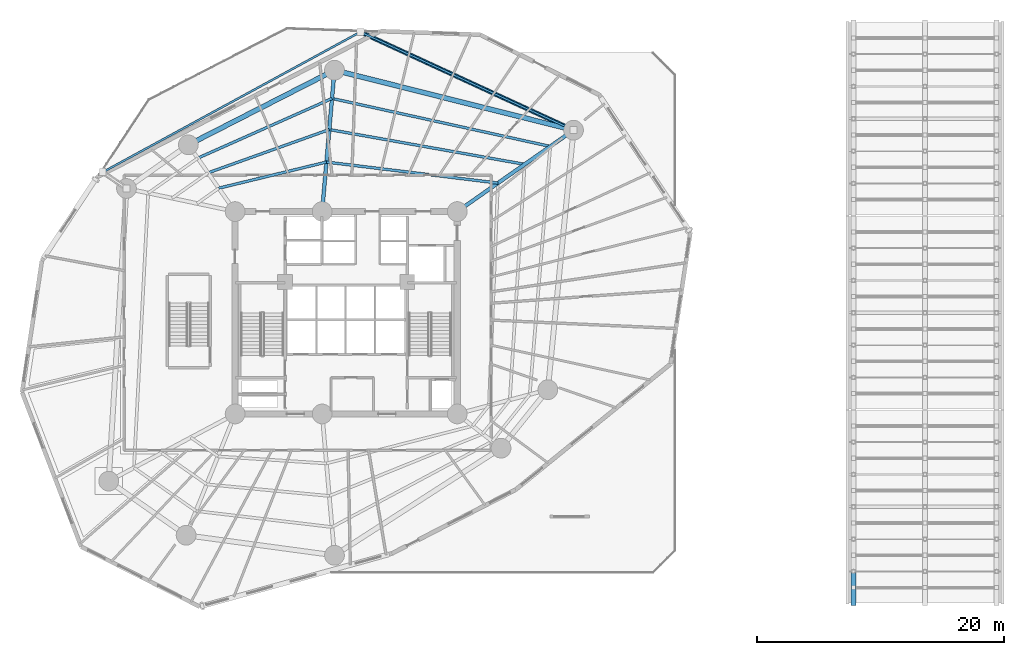
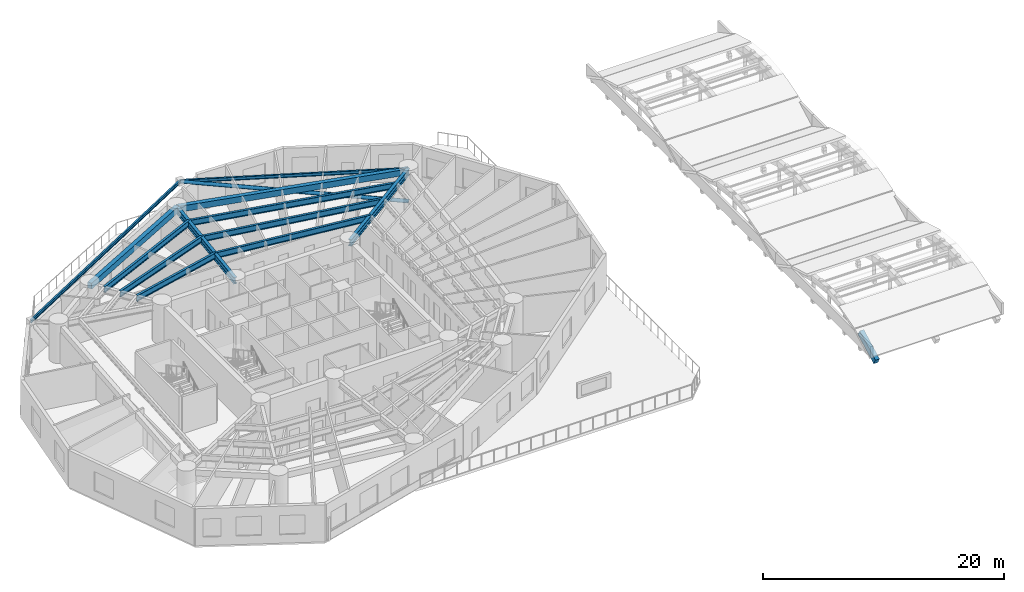
# One storey, part 2 of 16: 13 beams, 1 member.
"""IFC4 building model written with IfcOpenShell, lengths in metres."""

from ifc_helpers import new_model, si_unit, direction, frame, origin, origin_with_axes, origin_2d, place, context, subcontext, project, spatial, rectangle, hollow_circle, i_section, extrude, source, transform, mapped, material, material_profile, profile_set, type_object, element, save


model = new_model("IFC4")

# Units and contexts
model_context = context("Model", 3, precision=1e-05, world=origin(), true_north=direction((0.0, 1.0)))
body_context = subcontext(model_context, "Body", "Model", "MODEL_VIEW")
ifc_project = project(units=[si_unit("LENGTHUNIT", "METRE"), si_unit("AREAUNIT", "SQUARE_METRE"), si_unit("VOLUMEUNIT", "CUBIC_METRE"), si_unit("PLANEANGLEUNIT", "RADIAN"), si_unit("MASSUNIT", "GRAM", prefix="KILO")], contexts=[model_context])

# Site, building, storey
site_placement = place(None, origin())
site = spatial("IfcSite", under=ifc_project, at=site_placement, CompositionType="ELEMENT")
building_placement = place(site_placement, origin())
building = spatial("IfcBuilding", under=site, at=building_placement, Name="Karkom Vertical University and Central Library", CompositionType="ELEMENT")
storey_placement = place(building_placement, frame((0.0, 0.0, 22.5)))
storey = spatial("IfcBuildingStorey", under=building, at=storey_placement, Name="L05", CompositionType="ELEMENT", Elevation=22.5)

# Beams
ifc_material_1 = material(Name="Precast concrete C45/55", Category="concrete")
ifc_material_profile_1 = material_profile(ifc_material_1, rectangle(XDim=0.39990234375, YDim=0.60009765625, at=origin_2d()), Name="RCB-400x600")
ifc_profile_set_1 = profile_set([ifc_material_profile_1], Name="Precast concrete C45/55")
beam_type_1 = type_object("IfcBeamType", Name="STR-BM-VA-1", PredefinedType="BEAM", material=ifc_profile_set_1)
shared_shape_1 = source(origin_with_axes(), body_context, "Body", "SweptSolid", [
    extrude(rectangle(XDim=0.39990234375, YDim=0.60009765625, at=origin_2d()), origin(), (0.0, 0.0, 1.0), 2.967529296875),
])
beam_1_placement = place(storey_placement, frame((69.60009765625, 2.919921875, -0.5400390625), z_axis=(0.0, 0.882958015485, 0.469451960153), x_axis=(-1.0, 0.0, 0.0)))
element("IfcBeam", 1, at=beam_1_placement, inside=storey, type_object=beam_type_1, Name="Library Vault 1 Arch Rib 1 Chord 1", PredefinedType="BEAM", context=body_context, shape_type="MappedRepresentation", body=[
    mapped(shared_shape_1, transform((0.0, 0.0, 0.0), scale=1.0)),
])
ifc_material_2 = material(Name="Steel S355", Category="steel")
ifc_material_profile_2 = material_profile(ifc_material_2, i_section(OverallWidth=0.300048828125, OverallDepth=0.64990234375, WebThickness=0.01611328125, FlangeThickness=0.031005859375, FilletRadius=0.027099609375, at=origin_2d()), Name="HE 650 B")
ifc_profile_set_2 = profile_set([ifc_material_profile_2], Name="Steel S355")
beam_type_2 = type_object("IfcBeamType", Name="STR-BM-SB-HE650", PredefinedType="USERDEFINED", material=ifc_profile_set_2)
shared_shape_2 = source(origin_with_axes(), body_context, "Body", "SweptSolid", [
    extrude(i_section(OverallWidth=0.300048828125, OverallDepth=0.64990234375, WebThickness=0.01611328125, FlangeThickness=0.031005859375, FilletRadius=0.027099609375, at=origin_2d()), origin(), (0.0, 0.0, 1.0), 11.49951171875),
])
beam_2_placement = place(storey_placement, frame((37.5, 34.699951171875, 3.425048828125), z_axis=(0.81915012564, 0.573579176457, 0.0), x_axis=(-0.573579176457, 0.81915012564, 0.0)))
element("IfcBeam", 2, at=beam_2_placement, inside=storey, type_object=beam_type_2, Name="Level 05 Radial Frame Girder 02", ObjectType="GIRDER", PredefinedType="USERDEFINED", context=body_context, shape_type="MappedRepresentation", body=[
    mapped(shared_shape_2, transform((0.0, 0.0, 0.0), scale=1.0)),
])
shared_shape_3 = source(origin_with_axes(), body_context, "Body", "SweptSolid", [
    extrude(i_section(OverallWidth=0.300048828125, OverallDepth=0.64990234375, WebThickness=0.01611328125, FlangeThickness=0.031005859375, FilletRadius=0.027099609375, at=origin_2d()), origin(), (0.0, 0.0, 1.0), 11.499755859375),
])
beam_3_placement = place(storey_placement, frame((26.550048828125, 34.699951171875, 3.425048828125), z_axis=(0.087127973109, 0.99619712723, 0.0), x_axis=(-0.99619712723, 0.087127973109, 0.0)))
element("IfcBeam", 3, at=beam_3_placement, inside=storey, type_object=beam_type_2, Name="Level 05 Radial Frame Girder 03", ObjectType="GIRDER", PredefinedType="USERDEFINED", context=body_context, shape_type="MappedRepresentation", body=[
    mapped(shared_shape_3, transform((0.0, 0.0, 0.0), scale=1.0)),
])
ifc_material_profile_3 = material_profile(ifc_material_1, rectangle(XDim=0.39990234375, YDim=0.60009765625, at=origin_2d()), Name="SPB-400x600")
ifc_profile_set_3 = profile_set([ifc_material_profile_3], Name="Precast concrete C45/55")
beam_type_3 = type_object("IfcBeamType", Name="STR-BM-SP-1", PredefinedType="SPANDREL", material=ifc_profile_set_3)
shared_shape_4 = source(origin_with_axes(), body_context, "Body", "SweptSolid", [
    extrude(rectangle(XDim=0.39990234375, YDim=0.60009765625, at=origin_2d()), origin(), (0.0, 0.0, 1.0), 19.968505859375),
])
beam_4_placement = place(storey_placement, frame((46.919921875, 41.2958984375, 3.449951171875), z_axis=(-0.969928522391, 0.243389937039, 0.0), x_axis=(-0.243389937039, -0.969928522391, 0.0)))
element("IfcBeam", 4, at=beam_4_placement, inside=storey, type_object=beam_type_3, Name="Level 05 Perimeter Spandrel Beam 02", PredefinedType="SPANDREL", context=body_context, shape_type="MappedRepresentation", body=[
    mapped(shared_shape_4, transform((0.0, 0.0, 0.0), scale=1.0)),
])
shared_shape_5 = source(origin_with_axes(), body_context, "Body", "SweptSolid", [
    extrude(rectangle(XDim=0.39990234375, YDim=0.60009765625, at=origin_2d()), origin(), (0.0, 0.0, 1.0), 13.29443359375),
])
beam_5_placement = place(storey_placement, frame((27.552001953125, 46.156005859375, 3.449951171875), z_axis=(-0.890447746793, -0.455085497716, 0.0), x_axis=(0.455085497716, -0.890447746793, 0.0)))
element("IfcBeam", 5, at=beam_5_placement, inside=storey, type_object=beam_type_3, Name="Level 05 Perimeter Spandrel Beam 03", PredefinedType="SPANDREL", context=body_context, shape_type="MappedRepresentation", body=[
    mapped(shared_shape_5, transform((0.0, 0.0, 0.0), scale=1.0)),
])
ifc_material_profile_4 = material_profile(ifc_material_2, i_section(OverallWidth=0.219970703125, OverallDepth=0.60009765625, WebThickness=0.011962890625, FlangeThickness=0.01904296875, FilletRadius=0.02392578125, at=origin_2d()), Name="IPE 600")
ifc_profile_set_4 = profile_set([ifc_material_profile_4], Name="Steel S355")
beam_type_4 = type_object("IfcBeamType", Name="STR-BM-SB-IPE600", PredefinedType="BEAM", material=ifc_profile_set_4)
shared_shape_6 = source(origin_with_axes(), body_context, "Body", "SweptSolid", [
    extrude(i_section(OverallWidth=0.219970703125, OverallDepth=0.60009765625, WebThickness=0.011962890625, FlangeThickness=0.01904296875, FilletRadius=0.02392578125, at=origin_2d()), origin(), (0.0, 0.0, 1.0), 14.000244140625),
])
beam_6_placement = place(storey_placement, frame((40.797119140625, 37.008544921875, 3.449951171875), z_axis=(-0.992590166403, 0.121510335198, 0.0), x_axis=(-0.121510335198, -0.992590166403, 0.0)))
element("IfcBeam", 6, at=beam_6_placement, inside=storey, type_object=beam_type_4, Name="Level 05 Secondary Composite Floor Beam 1.02", PredefinedType="BEAM", context=body_context, shape_type="MappedRepresentation", body=[
    mapped(shared_shape_6, transform((0.0, 0.0, 0.0), scale=1.0)),
])
shared_shape_7 = source(origin_with_axes(), body_context, "Body", "SweptSolid", [
    extrude(i_section(OverallWidth=0.219970703125, OverallDepth=0.60009765625, WebThickness=0.011962890625, FlangeThickness=0.01904296875, FilletRadius=0.02392578125, at=origin_2d()), origin(), (0.0, 0.0, 1.0), 8.97900390625),
])
beam_7_placement = place(storey_placement, frame((26.900634765625, 38.709716796875, 3.449951171875), z_axis=(-0.971790837509, -0.235844372697, 0.0), x_axis=(0.235844372697, -0.971790837509, 0.0)))
element("IfcBeam", 7, at=beam_7_placement, inside=storey, type_object=beam_type_4, Name="Level 05 Secondary Composite Floor Beam 1.03", PredefinedType="BEAM", context=body_context, shape_type="MappedRepresentation", body=[
    mapped(shared_shape_7, transform((0.0, 0.0, 0.0), scale=1.0)),
])
shared_shape_8 = source(origin_with_axes(), body_context, "Body", "SweptSolid", [
    extrude(i_section(OverallWidth=0.219970703125, OverallDepth=0.60009765625, WebThickness=0.011962890625, FlangeThickness=0.01904296875, FilletRadius=0.02392578125, at=origin_2d()), origin(), (0.0, 0.0, 1.0), 16.08154296875),
])
beam_8_placement = place(storey_placement, frame((42.963623046875, 38.525634765625, 3.449951171875), z_axis=(-0.984517708807, 0.175285142111, 0.0), x_axis=(-0.175285142111, -0.984517708807, 0.0)))
element("IfcBeam", 8, at=beam_8_placement, inside=storey, type_object=beam_type_4, Name="Level 05 Secondary Composite Floor Beam 2.02", PredefinedType="BEAM", context=body_context, shape_type="MappedRepresentation", body=[
    mapped(shared_shape_8, transform((0.0, 0.0, 0.0), scale=1.0)),
])
shared_shape_9 = source(origin_with_axes(), body_context, "Body", "SweptSolid", [
    extrude(i_section(OverallWidth=0.219970703125, OverallDepth=0.60009765625, WebThickness=0.011962890625, FlangeThickness=0.01904296875, FilletRadius=0.02392578125, at=origin_2d()), origin(), (0.0, 0.0, 1.0), 10.4345703125),
])
beam_9_placement = place(storey_placement, frame((27.131103515625, 41.344482421875, 3.449951171875), z_axis=(-0.941759378798, -0.336287484819, 0.0), x_axis=(0.336287484819, -0.941759378798, 0.0)))
element("IfcBeam", 9, at=beam_9_placement, inside=storey, type_object=beam_type_4, Name="Level 05 Secondary Composite Floor Beam 2.03", PredefinedType="BEAM", context=body_context, shape_type="MappedRepresentation", body=[
    mapped(shared_shape_9, transform((0.0, 0.0, 0.0), scale=1.0)),
])
shared_shape_10 = source(origin_with_axes(), body_context, "Body", "SweptSolid", [
    extrude(i_section(OverallWidth=0.219970703125, OverallDepth=0.60009765625, WebThickness=0.011962890625, FlangeThickness=0.01904296875, FilletRadius=0.02392578125, at=origin_2d()), origin(), (0.0, 0.0, 1.0), 18.106689453125),
])
beam_10_placement = place(storey_placement, frame((45.035888671875, 39.976806640625, 3.449951171875), z_axis=(-0.976674731786, 0.214724167926, 0.0), x_axis=(-0.214724167926, -0.976674731786, 0.0)))
element("IfcBeam", 10, at=beam_10_placement, inside=storey, type_object=beam_type_4, Name="Level 05 Secondary Composite Floor Beam 3.02", PredefinedType="BEAM", context=body_context, shape_type="MappedRepresentation", body=[
    mapped(shared_shape_10, transform((0.0, 0.0, 0.0), scale=1.0)),
])
shared_shape_11 = source(origin_with_axes(), body_context, "Body", "SweptSolid", [
    extrude(i_section(OverallWidth=0.219970703125, OverallDepth=0.60009765625, WebThickness=0.011962890625, FlangeThickness=0.01904296875, FilletRadius=0.02392578125, at=origin_2d()), origin(), (0.0, 0.0, 1.0), 11.908203125),
])
beam_11_placement = place(storey_placement, frame((27.3515625, 43.86474609375, 3.449951171875), z_axis=(-0.913682996781, -0.406427584441, 0.0), x_axis=(0.406427584441, -0.913682996781, 0.0)))
element("IfcBeam", 11, at=beam_11_placement, inside=storey, type_object=beam_type_4, Name="Level 05 Secondary Composite Floor Beam 3.03", PredefinedType="BEAM", context=body_context, shape_type="MappedRepresentation", body=[
    mapped(shared_shape_11, transform((0.0, 0.0, 0.0), scale=1.0)),
])
ifc_material_profile_5 = material_profile(ifc_material_2, i_section(OverallWidth=0.159912109375, OverallDepth=0.330078125, WebThickness=0.007568359375, FlangeThickness=0.011474609375, FilletRadius=0.01806640625, at=origin_2d()), Name="IPE 330")
ifc_profile_set_5 = profile_set([ifc_material_profile_5], Name="Steel S355")
beam_type_5 = type_object("IfcBeamType", Name="STR-BM-SB-IPE330", PredefinedType="BEAM", material=ifc_profile_set_5)
shared_shape_12 = source(origin_with_axes(), body_context, "Body", "SweptSolid", [
    extrude(i_section(OverallWidth=0.159912109375, OverallDepth=0.330078125, WebThickness=0.007568359375, FlangeThickness=0.011474609375, FilletRadius=0.01806640625, at=origin_2d()), origin(), (0.0, 0.0, 1.0), 19.017578125),
])
beam_12_placement = place(storey_placement, frame((46.919921875, 41.2958984375, 3.5849609375), z_axis=(-0.908343006536, 0.418225994501, 0.0), x_axis=(-0.418225994501, -0.908343006536, 0.0)))
element("IfcBeam", 12, at=beam_12_placement, inside=storey, type_object=beam_type_5, Name="Level 05 Sky Garden Outrigger Support Beam 1", PredefinedType="BEAM", context=body_context, shape_type="MappedRepresentation", body=[
    mapped(shared_shape_12, transform((0.0, 0.0, 0.0), scale=1.0)),
])

# Member
ifc_material_profile_6 = material_profile(ifc_material_2, hollow_circle(Radius=0.177734375, WallThickness=0.01611328125, at=origin_2d()), Name="CHS 355.6x16")
ifc_profile_set_6 = profile_set([ifc_material_profile_6], Name="Steel S355")
member_type = type_object("IfcMemberType", Name="STR-MEM-BR-3", PredefinedType="BRACE", material=ifc_profile_set_6)
shared_shape_13 = source(origin_with_axes(), body_context, "Body", "SweptSolid", [
    extrude(hollow_circle(Radius=0.177734375, WallThickness=0.01611328125, at=origin_2d()), origin(), (0.0, 0.0, 1.0), 19.290771484375),
])
member_placement = place(storey_placement, frame((46.919921875, 41.2958984375, 0.35009765625), z_axis=(-0.895480570179, 0.412303776574, 0.167690620652), x_axis=(-0.418225994501, -0.908343006536, 0.0)))
element("IfcMember", 13, at=member_placement, inside=storey, type_object=member_type, Name="Level 05 Sky Garden Knee Strut Brace 1", PredefinedType="BRACE", context=body_context, shape_type="MappedRepresentation", body=[
    mapped(shared_shape_13, transform((0.0, 0.0, 0.0), scale=1.0)),
])

# Beam
shared_shape_14 = source(origin_with_axes(), body_context, "Body", "SweptSolid", [
    extrude(i_section(OverallWidth=0.159912109375, OverallDepth=0.330078125, WebThickness=0.007568359375, FlangeThickness=0.011474609375, FilletRadius=0.01806640625, at=origin_2d()), origin(), (0.0, 0.0, 1.0), 23.764404296875),
])
beam_13_placement = place(storey_placement, frame((29.6455078125, 49.24951171875, 3.5849609375), z_axis=(-0.878321210229, -0.478070969273, 0.0), x_axis=(0.478070969273, -0.878321210229, 0.0)))
element("IfcBeam", 14, at=beam_13_placement, inside=storey, type_object=beam_type_5, Name="Level 05 Sky Garden Perimeter Edge Beam", PredefinedType="BEAM", context=body_context, shape_type="MappedRepresentation", body=[
    mapped(shared_shape_14, transform((0.0, 0.0, 0.0), scale=1.0)),
])

save(model, "model.ifc")
